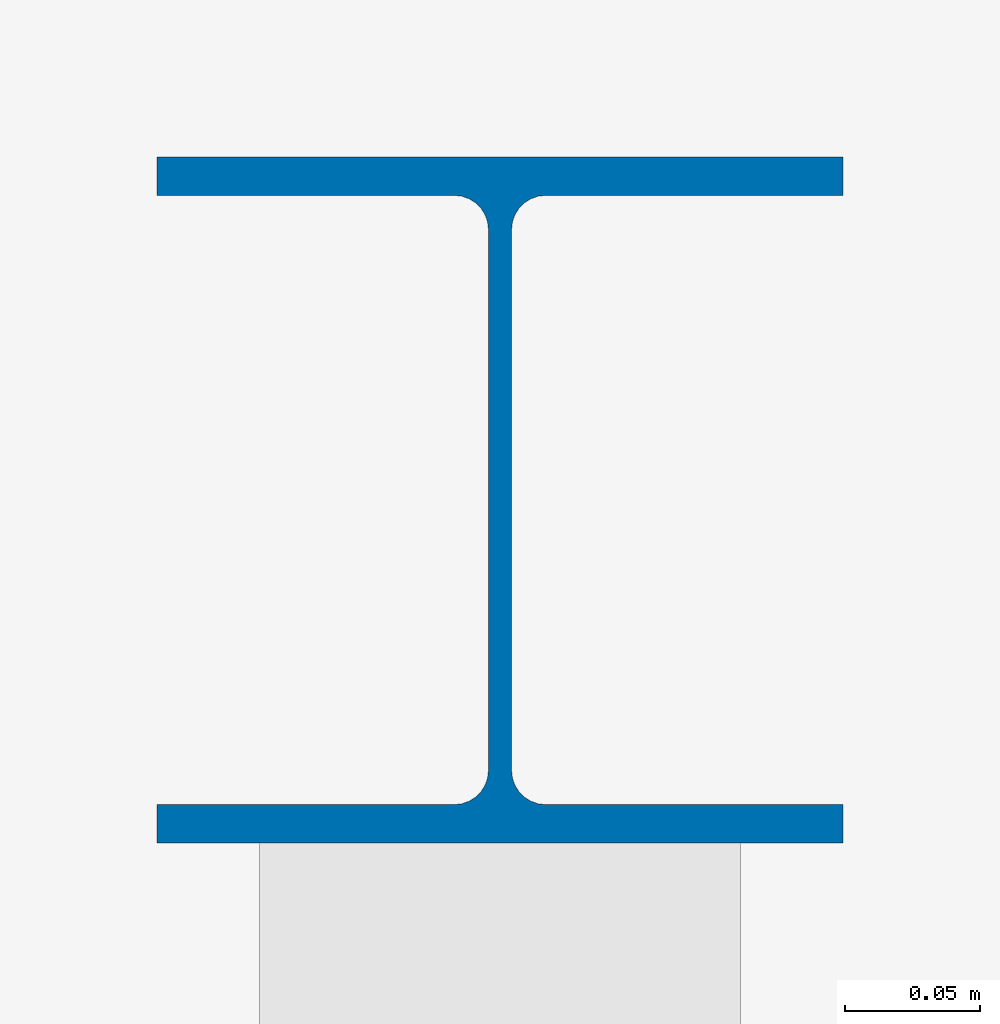
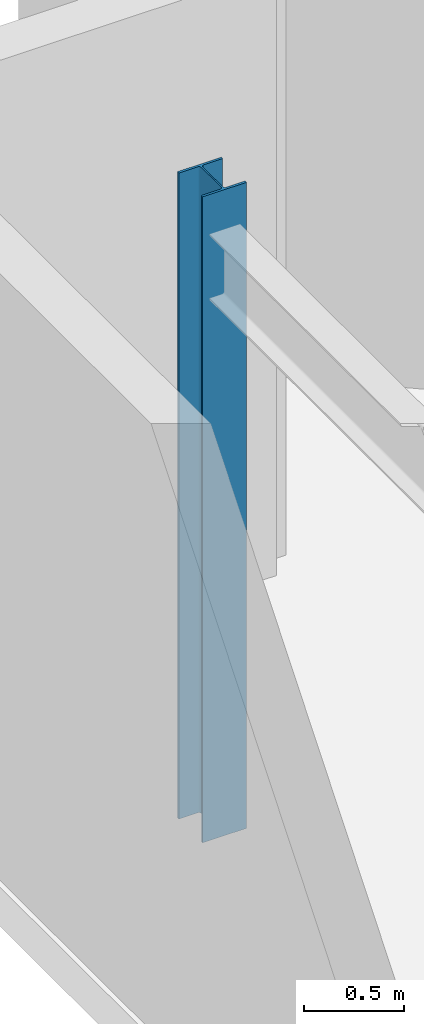
# One storey, part 4 of 16: 1 column.
"""IFC4 building model written with IfcOpenShell, lengths in metres."""

from ifc_helpers import new_model, si_unit, direction, frame, origin, origin_2d, place, context, subcontext, project, spatial, i_section, extrude, material, material_profile, profile_set, type_object, element, save


model = new_model("IFC4")

# Units and contexts
model_context = context("Model", 3, precision=1e-05, world=origin(), true_north=direction((0.0, 1.0)))
body_context = subcontext(model_context, "Body", "Model", "MODEL_VIEW")
ifc_project = project(units=[si_unit("LENGTHUNIT", "METRE"), si_unit("AREAUNIT", "SQUARE_METRE"), si_unit("VOLUMEUNIT", "CUBIC_METRE"), si_unit("PLANEANGLEUNIT", "RADIAN"), si_unit("MASSUNIT", "GRAM", prefix="KILO")], contexts=[model_context])

# Site, building, storey
site_placement = place(None, origin())
site = spatial("IfcSite", under=ifc_project, at=site_placement, CompositionType="ELEMENT")
building_placement = place(site_placement, origin())
building = spatial("IfcBuilding", under=site, at=building_placement, Name="Varnakote Quay Hospital", CompositionType="ELEMENT")
storey_placement = place(building_placement, frame((0.0, 0.0, 260.5)))
storey = spatial("IfcBuildingStorey", under=building, at=storey_placement, Name="L64", CompositionType="ELEMENT", Elevation=260.5)

# Column
ifc_material = material(Name="Structural steel AS/NZS 3679.1 Grade 350 L0 (fy 340 MPa)", Category="steel")
ifc_material_profile = material_profile(ifc_material, i_section(OverallWidth=0.25390625, OverallDepth=0.25390625, WebThickness=0.008544921875, FlangeThickness=0.01416015625, FilletRadius=0.0126953125, at=origin_2d()), Name="250UC72.9")
ifc_profile_set = profile_set([ifc_material_profile], Name="Structural steel AS/NZS 3679.1 Grade 350 L0 (fy 340 MPa)")
column_type = type_object("IfcColumnType", Name="COL-STL-250UC72-9", PredefinedType="COLUMN", material=ifc_profile_set)
column_placement = place(storey_placement, frame((1.199951171875, 37.199951171875, 0.0), z_axis=(0.0, 0.0, 1.0), x_axis=(1.0, 0.0, 0.0)))
element("IfcColumn", 1, at=column_placement, inside=storey, type_object=column_type, Name="L64 Structural Column C-1-37", PredefinedType="COLUMN", context=body_context, shape_type="SweptSolid", body=[
    extrude(i_section(OverallWidth=0.25390625, OverallDepth=0.25390625, WebThickness=0.008544921875, FlangeThickness=0.01416015625, FilletRadius=0.0126953125, at=origin_2d()), origin(), (0.0, 0.0, 1.0), 3.949951171875),
])

save(model, "model.ifc")
